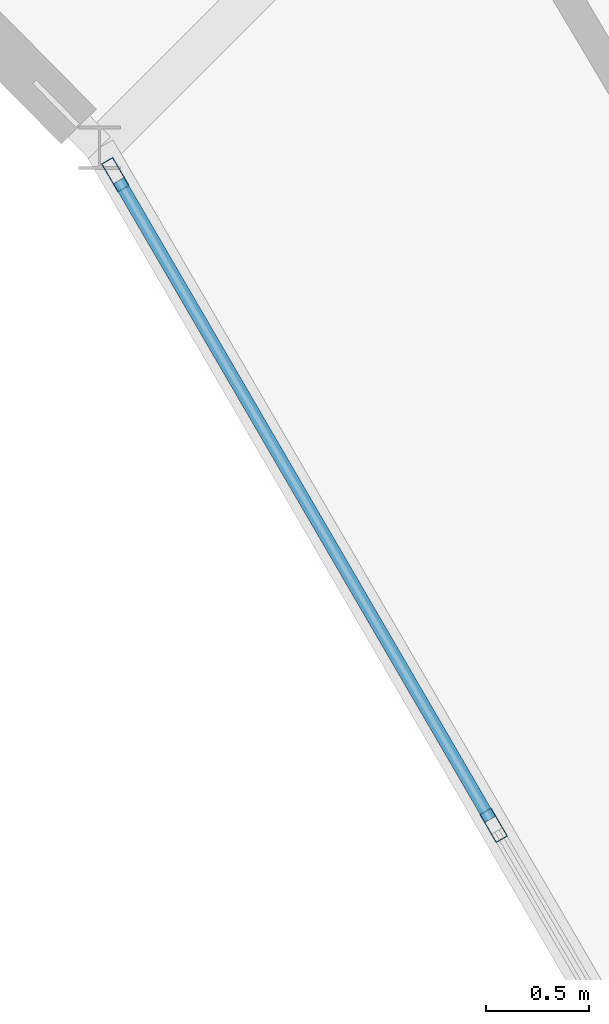
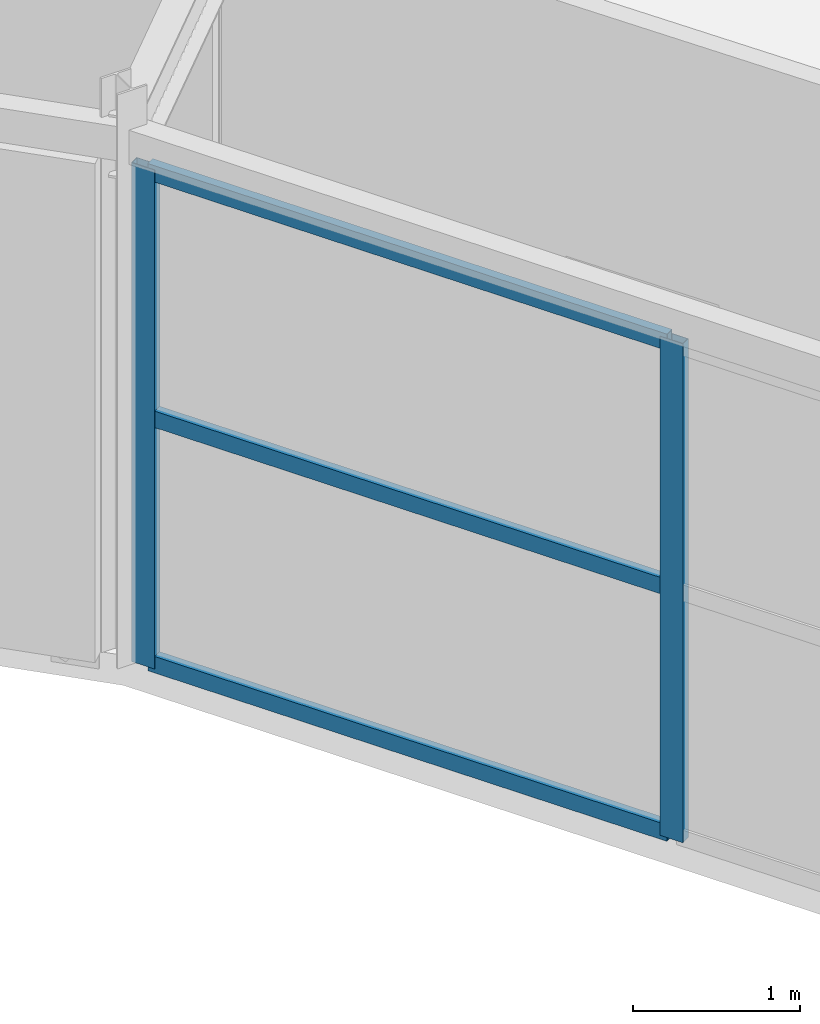
# One storey, part 66 of 106: 5 members, 1 element without a shape of its own.
"""IFC4 building model written with IfcOpenShell, lengths in metres."""

from ifc_helpers import new_model, si_unit, direction, frame, origin, origin_2d, place, context, subcontext, project, spatial, hollow_rectangle, extrude, material, material_profile, profile_set, type_object, element, aggregate, save


model = new_model("IFC4")

# Units and contexts
model_context = context("Model", 3, precision=1e-05, world=origin(), true_north=direction((0.0, 1.0)))
body_context = subcontext(model_context, "Body", "Model", "MODEL_VIEW")
ifc_project = project(units=[si_unit("LENGTHUNIT", "METRE"), si_unit("AREAUNIT", "SQUARE_METRE"), si_unit("VOLUMEUNIT", "CUBIC_METRE"), si_unit("PLANEANGLEUNIT", "RADIAN"), si_unit("MASSUNIT", "GRAM", prefix="KILO")], contexts=[model_context])

# Site, building, storey
site_placement = place(None, origin())
site = spatial("IfcSite", under=ifc_project, at=site_placement, CompositionType="ELEMENT")
building_placement = place(site_placement, origin())
building = spatial("IfcBuilding", under=site, at=building_placement, Name="Karori Crest Natural Sciences Institute", CompositionType="ELEMENT")
storey_placement = place(building_placement, frame((0.0, 0.0, 25.89990234375)))
storey = spatial("IfcBuildingStorey", under=building, at=storey_placement, Name="L06", CompositionType="ELEMENT", Elevation=25.89990234375)

# Curtain wall, members
ifc_material = material(Name="Anodised architectural aluminium 6063-T6", Category="aluminium")
curtain_wall_type = type_object("IfcCurtainWallType", Name="CWT-13", PredefinedType="NOTDEFINED", material=ifc_material)
curtain_wall_placement = place(storey_placement, origin())
curtain_wall = element("IfcCurtainWall", 1, at=curtain_wall_placement, inside=storey, type_object=curtain_wall_type, Name="Curtain wall CW-0224", PredefinedType="NOTDEFINED")
ifc_material_profile_1 = material_profile(ifc_material, hollow_rectangle(XDim=0.06494140625, YDim=0.159912109375, WallThickness=0.00390625, at=origin_2d()), Name="CWM160x65x4")
ifc_profile_set_1 = profile_set([ifc_material_profile_1], Name="Anodised architectural aluminium 6063-T6")
member_type_1 = type_object("IfcMemberType", Name="CWM-01", PredefinedType="MULLION", material=ifc_profile_set_1)
member_1_placement = place(storey_placement, frame((85.564697265625, 69.3818359375, 0.0), z_axis=(0.0, 0.0, 1.0), x_axis=(-0.864487154971, -0.502654910341, 0.0)))
member_1 = element("IfcMember", 2, at=member_1_placement, type_object=member_type_1, Name="CW-0224 mullion 2", PredefinedType="MULLION", context=body_context, shape_type="SweptSolid", body=[
    extrude(hollow_rectangle(XDim=0.06494140625, YDim=0.159912109375, WallThickness=0.00390625, at=origin_2d()), origin(), (0.0, 0.0, 1.0), 3.650146484375),
])
member_2_placement = place(storey_placement, frame((83.729736328125, 72.537353515625, 0.0), z_axis=(0.0, 0.0, 1.0), x_axis=(-0.864487154971, -0.502654910341, 0.0)))
member_2 = element("IfcMember", 3, at=member_2_placement, type_object=member_type_1, Name="CW-0224 mullion 3", PredefinedType="MULLION", context=body_context, shape_type="SweptSolid", body=[
    extrude(hollow_rectangle(XDim=0.06494140625, YDim=0.159912109375, WallThickness=0.00390625, at=origin_2d()), origin(), (0.0, 0.0, 1.0), 3.650146484375),
])
ifc_material_profile_2 = material_profile(ifc_material, hollow_rectangle(XDim=0.06005859375, YDim=0.1201171875, WallThickness=0.00390625, at=origin_2d()), Name="CWT120x60x4")
ifc_profile_set_2 = profile_set([ifc_material_profile_2], Name="Anodised architectural aluminium 6063-T6")
member_type_2 = type_object("IfcMemberType", Name="CWT-TR1", PredefinedType="USERDEFINED", material=ifc_profile_set_2)
member_3_placement = place(storey_placement, frame((85.54833984375, 69.409912109375, 0.030029296875), z_axis=(-0.502680817258, 0.864472090909, 0.0), x_axis=(-0.864472090909, -0.502680817258, 0.0)))
member_3 = element("IfcMember", 4, at=member_3_placement, type_object=member_type_2, Name="CW-0224 transom 2.1", ObjectType="TRANSOM", PredefinedType="USERDEFINED", context=body_context, shape_type="SweptSolid", body=[
    extrude(hollow_rectangle(XDim=0.06005859375, YDim=0.1201171875, WallThickness=0.00390625, at=origin_2d()), origin(), (0.0, 0.0, 1.0), 3.585205078125),
])
member_4_placement = place(storey_placement, frame((85.54833984375, 69.409912109375, 1.8251953125), z_axis=(-0.502680817258, 0.864472090909, 0.0), x_axis=(-0.864472090909, -0.502680817258, 0.0)))
member_4 = element("IfcMember", 5, at=member_4_placement, type_object=member_type_2, Name="CW-0224 transom 2.2", ObjectType="TRANSOM", PredefinedType="USERDEFINED", context=body_context, shape_type="SweptSolid", body=[
    extrude(hollow_rectangle(XDim=0.06005859375, YDim=0.1201171875, WallThickness=0.00390625, at=origin_2d()), origin(), (0.0, 0.0, 1.0), 3.585205078125),
])
member_5_placement = place(storey_placement, frame((85.54833984375, 69.409912109375, 3.6201171875), z_axis=(-0.502680817258, 0.864472090909, 0.0), x_axis=(-0.864472090909, -0.502680817258, 0.0)))
member_5 = element("IfcMember", 6, at=member_5_placement, type_object=member_type_2, Name="CW-0224 transom 2.3", ObjectType="TRANSOM", PredefinedType="USERDEFINED", context=body_context, shape_type="SweptSolid", body=[
    extrude(hollow_rectangle(XDim=0.06005859375, YDim=0.1201171875, WallThickness=0.00390625, at=origin_2d()), origin(), (0.0, 0.0, 1.0), 3.585205078125),
])
aggregate(curtain_wall, [member_1, member_2, member_3, member_4, member_5])

save(model, "model.ifc")
